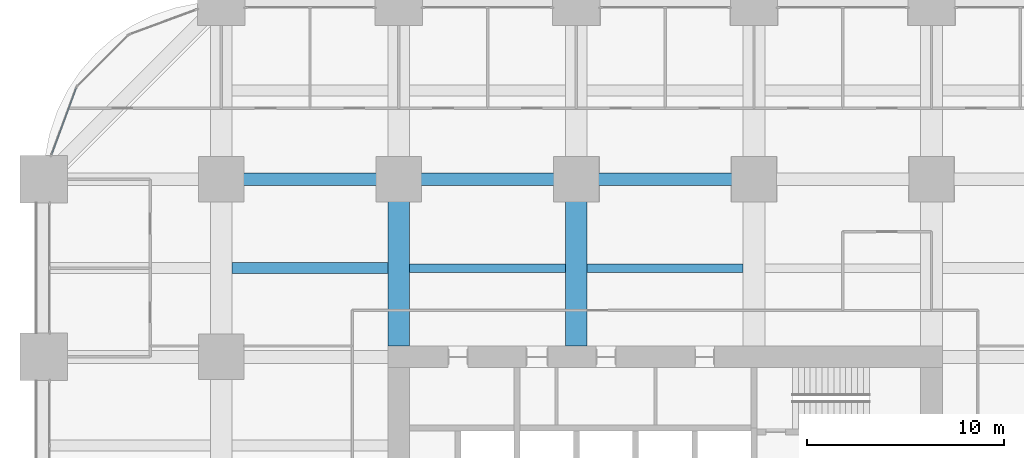
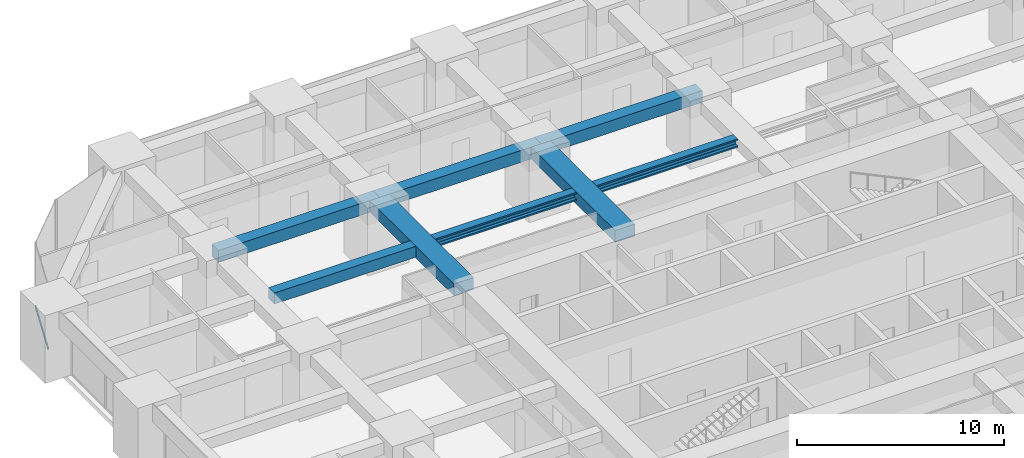
# One storey, part 26 of 44: 8 beams, 1 member, 1 element without a shape of its own.
"""IFC4 building model written with IfcOpenShell, lengths in metres."""

from ifc_helpers import new_model, si_unit, direction, frame, origin, origin_2d, place, context, subcontext, project, spatial, rectangle, hollow_rectangle, i_section, extrude, material, material_profile, profile_set, type_object, element, aggregate, save


model = new_model("IFC4")

# Units and contexts
model_context = context("Model", 3, precision=1e-05, world=origin(), true_north=direction((0.0, 1.0)))
body_context = subcontext(model_context, "Body", "Model", "MODEL_VIEW")
ifc_project = project(units=[si_unit("LENGTHUNIT", "METRE"), si_unit("AREAUNIT", "SQUARE_METRE"), si_unit("VOLUMEUNIT", "CUBIC_METRE"), si_unit("PLANEANGLEUNIT", "RADIAN"), si_unit("MASSUNIT", "GRAM", prefix="KILO")], contexts=[model_context])

# Site, building, storey
site_placement = place(None, origin())
site = spatial("IfcSite", under=ifc_project, at=site_placement, CompositionType="ELEMENT")
building_placement = place(site_placement, origin())
building = spatial("IfcBuilding", under=site, at=building_placement, Name="Zorevar Civic Tower", CompositionType="ELEMENT")
storey_placement = place(building_placement, frame((0.0, 0.0, 31.800048828125)))
storey = spatial("IfcBuildingStorey", under=building, at=storey_placement, Name="L07", CompositionType="ELEMENT", Elevation=31.800048828125)

# Beams
ifc_material_1 = material(Name="Concrete C50/60", Category="concrete")
ifc_material_profile_1 = material_profile(ifc_material_1, rectangle(XDim=1.10009765625, YDim=0.699951171875, at=origin_2d()), Name="RC 1100x700")
ifc_profile_set_1 = profile_set([ifc_material_profile_1], Name="Concrete C50/60")
beam_type_1 = type_object("IfcBeamType", Name="Beam RC 1100x700", PredefinedType="BEAM", material=ifc_profile_set_1)
for number, where, z_axis, x_axis, name in (
    (1, (18.0, 36.550048828125, 3.39990234375), (0.0, 1.0, 0.0), (-1.0, 0.0, 0.0), "Girder L08"),
    (2, (27.0, 36.550048828125, 3.39990234375), (0.0, 1.0, 0.0), (-1.0, 0.0, 0.0), "Girder L08"),
):
    element("IfcBeam", number, at=place(storey_placement, frame(where, z_axis=z_axis, x_axis=x_axis)), inside=storey, type_object=beam_type_1, Name=name, PredefinedType="BEAM", context=body_context, shape_type="SweptSolid", body=[
        extrude(rectangle(XDim=1.10009765625, YDim=0.699951171875, at=origin_2d()), origin(), (0.0, 0.0, 1.0), 8.449951171875),
    ])
ifc_material_2 = material(Name="Concrete C50/60", Category="concrete")
ifc_material_profile_2 = material_profile(ifc_material_2, rectangle(XDim=0.550048828125, YDim=0.64990234375, at=origin_2d()), Name="RC 550x650")
ifc_profile_set_2 = profile_set([ifc_material_profile_2], Name="Concrete C50/60")
beam_type_2 = type_object("IfcBeamType", Name="Beam RC 550x650", PredefinedType="BEAM", material=ifc_profile_set_2)
beam_placement = place(storey_placement, frame((9.550048828125, 40.5, 3.425048828125), z_axis=(1.0, 0.0, 0.0), x_axis=(0.0, 1.0, 0.0)))
element("IfcBeam", 3, at=beam_placement, inside=storey, type_object=beam_type_2, Name="Secondary beam L08", PredefinedType="BEAM", context=body_context, shape_type="SweptSolid", body=[
    extrude(rectangle(XDim=0.550048828125, YDim=0.64990234375, at=origin_2d()), origin(), (0.0, 0.0, 1.0), 7.89990234375),
])
ifc_material_3 = material(Name="Concrete C50/60", Category="concrete")
ifc_material_profile_3 = material_profile(ifc_material_3, rectangle(XDim=0.64990234375, YDim=0.699951171875, at=origin_2d()), Name="RC 650x700")
ifc_profile_set_3 = profile_set([ifc_material_profile_3], Name="Concrete C50/60")
beam_type_3 = type_object("IfcBeamType", Name="Beam RC 650x700", PredefinedType="BEAM", material=ifc_profile_set_3)
for number, where, z_axis, x_axis, name in (
    (4, (9.0, 45.0, 3.39990234375), (1.0, 0.0, 0.0), (0.0, 1.0, 0.0), "Girder L08"),
    (5, (18.0, 45.0, 3.39990234375), (1.0, 0.0, 0.0), (0.0, 1.0, 0.0), "Girder L08"),
    (6, (27.0, 45.0, 3.39990234375), (1.0, 0.0, 0.0), (0.0, 1.0, 0.0), "Girder L08"),
):
    element("IfcBeam", number, at=place(storey_placement, frame(where, z_axis=z_axis, x_axis=x_axis)), inside=storey, type_object=beam_type_3, Name=name, PredefinedType="BEAM", context=body_context, shape_type="SweptSolid", body=[
        extrude(rectangle(XDim=0.64990234375, YDim=0.699951171875, at=origin_2d()), origin(), (0.0, 0.0, 1.0), 9.0),
    ])

# Curtain wall, member
ifc_material_4 = material(Name="Dark grey solar-control glass in black aluminium frame", Category="aluminium")
curtain_wall_type = type_object("IfcCurtainWallType", Name="Curtain wall CW2 low zone", PredefinedType="NOTDEFINED", material=ifc_material_4)
curtain_wall_placement = place(storey_placement, origin())
curtain_wall = element("IfcCurtainWall", 7, at=curtain_wall_placement, inside=storey, type_object=curtain_wall_type, Name="CW2 L07", PredefinedType="NOTDEFINED")
ifc_material_5 = material(Name="Aluminium, black anodised", Category="aluminium")
ifc_material_profile_4 = material_profile(ifc_material_5, hollow_rectangle(XDim=0.06005859375, YDim=0.14990234375, WallThickness=0.00390625, at=origin_2d()), Name="AL 150x60x4")
ifc_profile_set_4 = profile_set([ifc_material_profile_4], Name="Aluminium, black anodised")
member_type = type_object("IfcMemberType", Name="CW2 transom AL 150x60x4", PredefinedType="USERDEFINED", material=ifc_profile_set_4)
member_placement = place(storey_placement, frame((1.6533203125, 49.636474609375, 0.030029296875), z_axis=(-0.346672169799, -0.93798635741, 0.0), x_axis=(0.93798635741, -0.346672169799, 0.0)))
member = element("IfcMember", 8, at=member_placement, type_object=member_type, Name="CW2 sill transom", ObjectType="TRANSOM", PredefinedType="USERDEFINED", context=body_context, shape_type="SweptSolid", body=[
    extrude(hollow_rectangle(XDim=0.06005859375, YDim=0.14990234375, WallThickness=0.00390625, at=origin_2d()), origin(), (0.0, 0.0, 1.0), 3.603515625),
])
aggregate(curtain_wall, [member])

# Beams
ifc_material_6 = material(Name="Steel S460M (HISTAR 460)", Category="steel")
ifc_material_profile_5 = material_profile(ifc_material_6, i_section(OverallWidth=0.431884765625, OverallDepth=0.498046875, WebThickness=0.0556640625, FlangeThickness=0.0888671875, FilletRadius=0.014892578125, at=origin_2d()), Name="HD 400x744")
ifc_profile_set_5 = profile_set([ifc_material_profile_5], Name="Steel S460M (HISTAR 460)")
beam_type_4 = type_object("IfcBeamType", Name="Core bay beam HD 400x744", PredefinedType="BEAM", material=ifc_profile_set_5)
for number, where, z_axis, x_axis, name in (
    (9, (18.550048828125, 40.5, 3.5009765625), (1.0, 0.0, 0.0), (0.0, 1.0, 0.0), "Secondary beam L08"),
    (10, (27.550048828125, 40.5, 3.5009765625), (1.0, 0.0, 0.0), (0.0, 1.0, 0.0), "Secondary beam L08"),
):
    element("IfcBeam", number, at=place(storey_placement, frame(where, z_axis=z_axis, x_axis=x_axis)), inside=storey, type_object=beam_type_4, Name=name, PredefinedType="BEAM", context=body_context, shape_type="SweptSolid", body=[
        extrude(i_section(OverallWidth=0.431884765625, OverallDepth=0.498046875, WebThickness=0.0556640625, FlangeThickness=0.0888671875, FilletRadius=0.014892578125, at=origin_2d()), origin(), (0.0, 0.0, 1.0), 7.89990234375),
    ])

save(model, "model.ifc")
